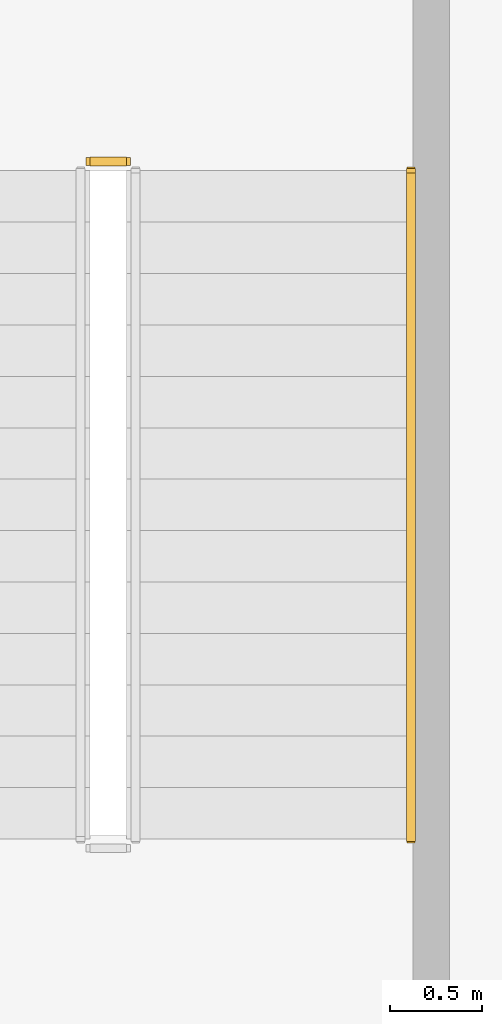
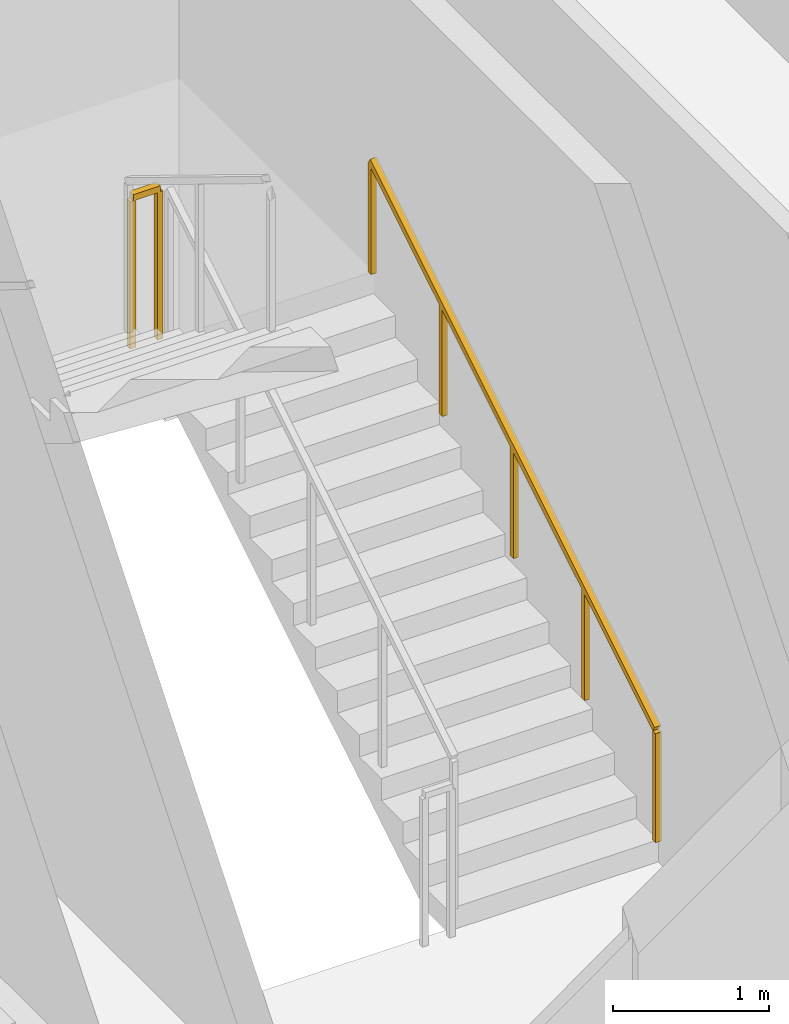
# One storey, part 13 of 14: 2 railings.
"""IFC4 building model written with IfcOpenShell, lengths in metres."""

from ifc_helpers import new_model, si_unit, direction, frame, origin, origin_2d, place, context, subcontext, project, spatial, rectangle, extrude, material, type_object, element, save


model = new_model("IFC4")

# Units and contexts
model_context = context("Model", 3, precision=1e-05, world=origin(), true_north=direction((0.0, 1.0)))
body_context = subcontext(model_context, "Body", "Model", "MODEL_VIEW")
ifc_project = project(units=[si_unit("LENGTHUNIT", "METRE"), si_unit("AREAUNIT", "SQUARE_METRE"), si_unit("VOLUMEUNIT", "CUBIC_METRE"), si_unit("PLANEANGLEUNIT", "RADIAN"), si_unit("MASSUNIT", "GRAM", prefix="KILO")], contexts=[model_context])

# Site, building, storey
site_placement = place(None, origin())
site = spatial("IfcSite", under=ifc_project, at=site_placement, CompositionType="ELEMENT")
building_placement = place(site_placement, origin())
building = spatial("IfcBuilding", under=site, at=building_placement, Name="Giltprow Tower", CompositionType="ELEMENT")
storey_placement = place(building_placement, frame((0.0, 0.0, 10.39990234375)))
storey = spatial("IfcBuildingStorey", under=building, at=storey_placement, Name="L03", CompositionType="ELEMENT", Elevation=10.39990234375)

# Railings
ifc_material = material(Name="Anodized bronze", Category="metal")
railing_type_1 = type_object("IfcRailingType", Name="RAIL-STAIR-GUARD-1200", PredefinedType="GUARDRAIL", material=ifc_material)
railing_1_placement = place(storey_placement, frame((53.60009765625, 43.43994140625, 2.400146484375)))
element("IfcRailing", 1, at=railing_1_placement, inside=storey, type_object=railing_type_1, Name="L03 ST-P2 stair guard 2", PredefinedType="GUARDRAIL", context=body_context, shape_type="SweptSolid", body=[
    extrude(rectangle(XDim=0.048095703125, YDim=0.048095703125, at=origin_2d()), frame((0.0, 0.0, 1.17578125), z_axis=(-1.0, 0.0, 0.0), x_axis=(0.0, -1.0, 0.0)), (0.0, 0.0, 1.0), 0.2001953125),
    extrude(rectangle(XDim=0.0419921875, YDim=0.0419921875, at=origin_2d()), origin(), (0.0, 0.0, 1.0), 1.15185546875),
    extrude(rectangle(XDim=0.0419921875, YDim=0.0419921875, at=origin_2d()), frame((-0.2001953125, 0.0, 0.0)), (0.0, 0.0, 1.0), 1.15185546875),
])
railing_type_2 = type_object("IfcRailingType", Name="RAIL-STAIR-HAND-900", PredefinedType="HANDRAIL", material=ifc_material)
railing_2_placement = place(storey_placement, frame((55.14990234375, 39.75, 0.171630859375)))
element("IfcRailing", 2, at=railing_2_placement, inside=storey, type_object=railing_type_2, Name="L03 ST-P2 stair handrail 1", PredefinedType="HANDRAIL", context=body_context, shape_type="SweptSolid", body=[
    extrude(rectangle(XDim=0.048095703125, YDim=0.048095703125, at=origin_2d()), frame((0.0, 0.0, 0.8759765625), z_axis=(0.0, 0.852850264322, 0.5221555579), x_axis=(-1.0, 0.0, 0.0)), (0.0, 0.0, 1.0), 4.267822265625),
    extrude(rectangle(XDim=0.0419921875, YDim=0.0419921875, at=origin_2d()), origin(), (0.0, 0.0, 1.0), 0.851806640625),
    extrude(rectangle(XDim=0.0419921875, YDim=0.0419921875, at=origin_2d()), frame((0.0, 0.909912109375, 0.55712890625)), (0.0, 0.0, 1.0), 0.851806640625),
    extrude(rectangle(XDim=0.0419921875, YDim=0.0419921875, at=origin_2d()), frame((0.0, 1.81982421875, 1.1142578125)), (0.0, 0.0, 1.0), 0.851806640625),
    extrude(rectangle(XDim=0.0419921875, YDim=0.0419921875, at=origin_2d()), frame((0.0, 2.72998046875, 1.67138671875)), (0.0, 0.0, 1.0), 0.851806640625),
    extrude(rectangle(XDim=0.0419921875, YDim=0.0419921875, at=origin_2d()), frame((0.0, 3.639892578125, 2.228515625)), (0.0, 0.0, 1.0), 0.851806640625),
])

save(model, "model.ifc")
